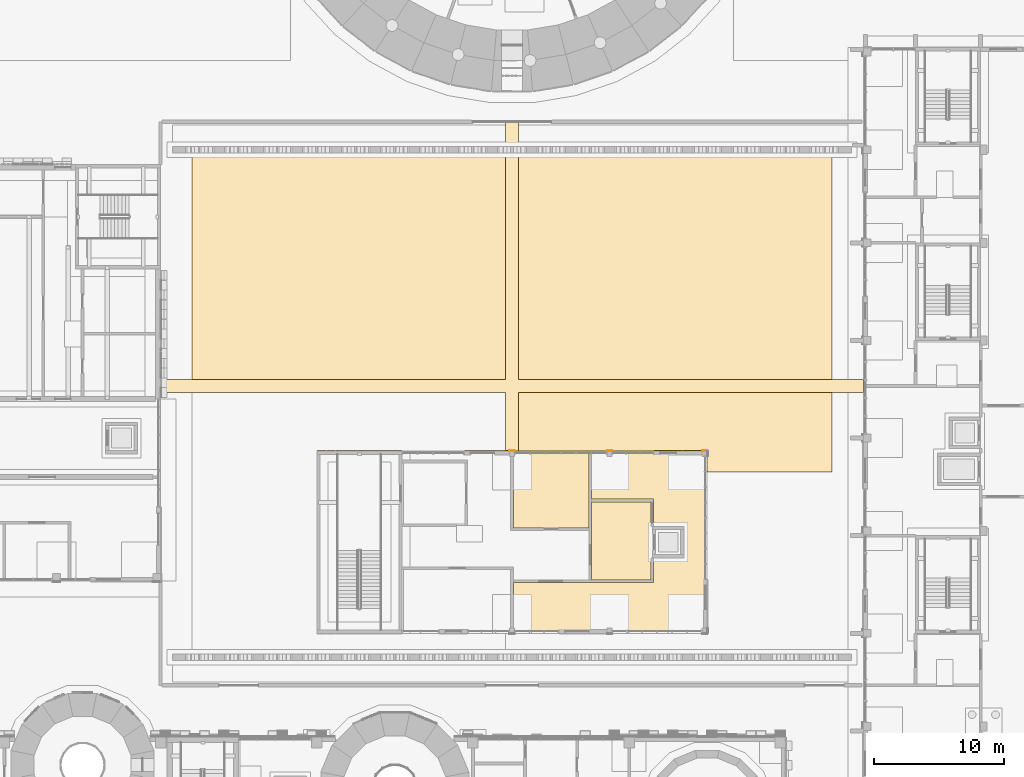
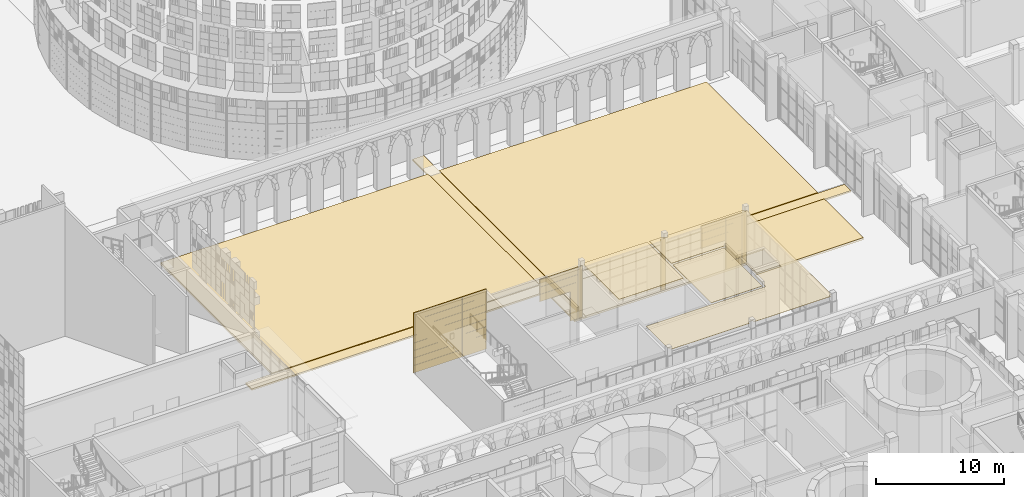
# One storey, part 97 of 125: 9 coverings.
"""IFC4 building model written with IfcOpenShell, lengths in metres."""

from ifc_helpers import new_model, si_unit, direction, frame, origin, origin_2d, place, context, subcontext, project, spatial, polyline, rectangle, outline, extrude, material, layer, layer_set, type_object, element, save


model = new_model("IFC4")

# Units and contexts
model_context = context("Model", 3, precision=1e-05, world=origin(), true_north=direction((0.0, 1.0)))
body_context = subcontext(model_context, "Body", "Model", "MODEL_VIEW")
ifc_project = project(units=[si_unit("LENGTHUNIT", "METRE"), si_unit("AREAUNIT", "SQUARE_METRE"), si_unit("VOLUMEUNIT", "CUBIC_METRE"), si_unit("PLANEANGLEUNIT", "RADIAN"), si_unit("MASSUNIT", "GRAM", prefix="KILO")], contexts=[model_context])

# Site, building, storey
site_placement = place(None, origin())
site = spatial("IfcSite", under=ifc_project, at=site_placement, CompositionType="ELEMENT")
building_placement = place(site_placement, origin())
building = spatial("IfcBuilding", under=site, at=building_placement, Name="Sun Court Science Centre", CompositionType="ELEMENT")
storey_placement = place(building_placement, origin())
storey = spatial("IfcBuildingStorey", under=building, at=storey_placement, Name="L00", CompositionType="ELEMENT", Elevation=0.0)

# Coverings
ifc_material_1 = material(Name="Gypsum board")
ifc_layer_1 = layer(ifc_material_1, 0.030029296875)
ifc_layer_set_1 = layer_set([ifc_layer_1], Name="Gypsum board")
covering_type_1 = type_object("IfcCoveringType", Name="Ceiling suspended 600 module", PredefinedType="CEILING", material=ifc_layer_set_1)
covering_1_placement = place(storey_placement, frame((0.0, 0.0, 5.27001953125)))
element("IfcCovering", 1, at=covering_1_placement, inside=storey, type_object=covering_type_1, Name="L00-096 ceiling", PredefinedType="CEILING", context=body_context, shape_type="SweptSolid", body=[
    extrude(outline(polyline([(56.89990234375, 49.800048828125), (56.89990234375, 44.10009765625), (51.10009765625, 44.10009765625), (51.10009765625, 49.60009765625), (51.199951171875, 49.60009765625), (51.199951171875, 49.800048828125), (56.89990234375, 49.800048828125)])), origin(), (0.0, 0.0, 1.0), 0.030029296875),
])
covering_2_placement = place(storey_placement, frame((0.0, 0.0, 5.27001953125)))
element("IfcCovering", 2, at=covering_2_placement, inside=storey, type_object=covering_type_1, Name="L00-097 ceiling", PredefinedType="CEILING", context=body_context, shape_type="SweptSolid", body=[
    extrude(outline(polyline([(57.10009765625, 40.10009765625), (57.10009765625, 46.10009765625), (61.68994140625, 46.10009765625), (61.68994140625, 44.3125), (61.6875, 44.3125), (61.6875, 41.6875), (61.68994140625, 41.6875), (61.68994140625, 40.10009765625), (57.10009765625, 40.10009765625)])), origin(), (0.0, 0.0, 1.0), 0.030029296875),
])
covering_3_placement = place(storey_placement, frame((0.0, 0.0, 5.27001953125)))
element("IfcCovering", 3, at=covering_3_placement, inside=storey, type_object=covering_type_1, Name="L00-098 ceiling", PredefinedType="CEILING", context=body_context, shape_type="SweptSolid", body=[
    extrude(outline(polyline([(51.10009765625, 36.39990234375), (51.10009765625, 39.89990234375), (61.889892578125, 39.89990234375), (61.889892578125, 41.6875), (64.3125, 41.6875), (64.3125, 44.3125), (61.889892578125, 44.3125), (61.889892578125, 46.300048828125), (57.10009765625, 46.300048828125), (57.10009765625, 49.800048828125), (58.300048828125, 49.800048828125), (58.300048828125, 49.60009765625), (58.699951171875, 49.60009765625), (58.699951171875, 49.800048828125), (65.60009765625, 49.800048828125), (65.60009765625, 49.60009765625), (65.800048828125, 49.60009765625), (65.800048828125, 36.39990234375), (65.60009765625, 36.39990234375), (65.60009765625, 36.199951171875), (58.699951171875, 36.199951171875), (58.699951171875, 36.39990234375), (58.300048828125, 36.39990234375), (58.300048828125, 36.199951171875), (51.199951171875, 36.199951171875), (51.199951171875, 36.39990234375), (51.10009765625, 36.39990234375)])), origin(), (0.0, 0.0, 1.0), 0.030029296875),
])
ifc_material_2 = material(Name="Planting soil and lawn")
ifc_layer_2 = layer(ifc_material_2, 0.199951171875)
ifc_layer_set_2 = layer_set([ifc_layer_2], Name="Planting soil and lawn")
covering_type_2 = type_object("IfcCoveringType", Name="Planting bed 200", PredefinedType="FLOORING", material=ifc_layer_set_2)
covering_4_placement = place(storey_placement, frame((0.0, 0.0, -0.199951171875)))
element("IfcCovering", 4, at=covering_4_placement, inside=storey, type_object=covering_type_2, Name="Planting beds", PredefinedType="FLOORING", context=body_context, shape_type="SweptSolid", body=[
    extrude(outline(polyline([(66.0, 50.0), (51.5, 50.0), (51.5, 54.5), (75.60009765625, 54.5), (75.60009765625, 48.39990234375), (66.0, 48.39990234375), (66.0, 50.0)])), origin(), (0.0, 0.0, 1.0), 0.199951171875),
])
covering_5_placement = place(storey_placement, frame((0.0, 0.0, -0.199951171875)))
element("IfcCovering", 5, at=covering_5_placement, inside=storey, type_object=covering_type_2, Name="Planting beds", PredefinedType="FLOORING", context=body_context, shape_type="SweptSolid", body=[
    extrude(outline(polyline([(26.39990234375, 55.5), (26.39990234375, 72.89990234375), (50.5, 72.89990234375), (50.5, 55.5), (26.39990234375, 55.5)])), origin(), (0.0, 0.0, 1.0), 0.199951171875),
])
covering_6_placement = place(storey_placement, frame((0.0, 0.0, -0.199951171875)))
element("IfcCovering", 6, at=covering_6_placement, inside=storey, type_object=covering_type_2, Name="Planting beds", PredefinedType="FLOORING", context=body_context, shape_type="SweptSolid", body=[
    extrude(outline(polyline([(75.60009765625, 55.5), (51.5, 55.5), (51.5, 72.89990234375), (75.60009765625, 72.89990234375), (75.60009765625, 55.5)])), origin(), (0.0, 0.0, 1.0), 0.199951171875),
])
ifc_material_3 = material(Name="Red sandstone", Category="masonry")
ifc_layer_3 = layer(ifc_material_3, 0.080078125)
ifc_layer_set_3 = layer_set([ifc_layer_3], Name="Red sandstone")
covering_type_3 = type_object("IfcCoveringType", Name="Red sandstone pier cladding", PredefinedType="CLADDING", material=ifc_layer_set_3)
covering_7_placement = place(storey_placement, origin())
element("IfcCovering", 7, at=covering_7_placement, inside=storey, type_object=covering_type_3, Name="Red sandstone pier cladding north face L00", PredefinedType="CLADDING", context=body_context, shape_type="SweptSolid", body=[
    extrude(rectangle(XDim=0.39990234375, YDim=0.080078125, at=origin_2d()), frame((51.0, 50.0400390625, 0.0), z_axis=(0.0, 0.0, 1.0), x_axis=(1.0, 0.0, 0.0)), (0.0, 0.0, 1.0), 4.89990234375),
    extrude(rectangle(XDim=0.39990234375, YDim=0.080078125, at=origin_2d()), frame((58.5, 50.0400390625, 0.0), z_axis=(0.0, 0.0, 1.0), x_axis=(1.0, 0.0, 0.0)), (0.0, 0.0, 1.0), 4.89990234375),
    extrude(rectangle(XDim=0.39990234375, YDim=0.080078125, at=origin_2d()), frame((65.800048828125, 50.0400390625, 0.0), z_axis=(0.0, 0.0, 1.0), x_axis=(1.0, 0.0, 0.0)), (0.0, 0.0, 1.0), 4.89990234375),
])
ifc_material_4 = material(Name="Red sandstone", Category="masonry")
ifc_layer_4 = layer(ifc_material_4, 0.06005859375)
ifc_layer_set_4 = layer_set([ifc_layer_4], Name="Red sandstone")
covering_type_4 = type_object("IfcCoveringType", Name="Red sandstone wall cladding 750", PredefinedType="CLADDING", material=ifc_layer_set_4)
covering_8_placement = place(storey_placement, origin())
element("IfcCovering", 8, at=covering_8_placement, inside=storey, type_object=covering_type_4, Name="Red sandstone wall cladding north face L00", PredefinedType="CLADDING", context=body_context, shape_type="SweptSolid", body=[
    extrude(rectangle(XDim=0.679931640625, YDim=0.06005859375, at=origin_2d()), frame((50.455078125, 50.030029296875, 0.005126953125), z_axis=(0.0, 0.0, 1.0), x_axis=(1.0, 0.0, 0.0)), (0.0, 0.0, 1.0), 0.68994140625),
    extrude(rectangle(XDim=0.679931640625, YDim=0.06005859375, at=origin_2d()), frame((50.455078125, 50.030029296875, 0.705078125), z_axis=(0.0, 0.0, 1.0), x_axis=(1.0, 0.0, 0.0)), (0.0, 0.0, 1.0), 0.68994140625),
    extrude(rectangle(XDim=0.679931640625, YDim=0.06005859375, at=origin_2d()), frame((50.455078125, 50.030029296875, 1.405029296875), z_axis=(0.0, 0.0, 1.0), x_axis=(1.0, 0.0, 0.0)), (0.0, 0.0, 1.0), 0.68994140625),
    extrude(rectangle(XDim=0.679931640625, YDim=0.06005859375, at=origin_2d()), frame((50.455078125, 50.030029296875, 2.10498046875), z_axis=(0.0, 0.0, 1.0), x_axis=(1.0, 0.0, 0.0)), (0.0, 0.0, 1.0), 0.68994140625),
    extrude(rectangle(XDim=0.679931640625, YDim=0.06005859375, at=origin_2d()), frame((47.695068359375, 50.030029296875, 2.804931640625), z_axis=(0.0, 0.0, 1.0), x_axis=(1.0, 0.0, 0.0)), (0.0, 0.0, 1.0), 0.68994140625),
    extrude(rectangle(XDim=0.679931640625, YDim=0.06005859375, at=origin_2d()), frame((48.385009765625, 50.030029296875, 2.804931640625), z_axis=(0.0, 0.0, 1.0), x_axis=(1.0, 0.0, 0.0)), (0.0, 0.0, 1.0), 0.68994140625),
    extrude(rectangle(XDim=0.679931640625, YDim=0.06005859375, at=origin_2d()), frame((49.074951171875, 50.030029296875, 2.804931640625), z_axis=(0.0, 0.0, 1.0), x_axis=(1.0, 0.0, 0.0)), (0.0, 0.0, 1.0), 0.68994140625),
    extrude(rectangle(XDim=0.679931640625, YDim=0.06005859375, at=origin_2d()), frame((49.764892578125, 50.030029296875, 2.804931640625), z_axis=(0.0, 0.0, 1.0), x_axis=(1.0, 0.0, 0.0)), (0.0, 0.0, 1.0), 0.68994140625),
    extrude(rectangle(XDim=0.679931640625, YDim=0.06005859375, at=origin_2d()), frame((50.455078125, 50.030029296875, 2.804931640625), z_axis=(0.0, 0.0, 1.0), x_axis=(1.0, 0.0, 0.0)), (0.0, 0.0, 1.0), 0.68994140625),
    extrude(rectangle(XDim=0.679931640625, YDim=0.06005859375, at=origin_2d()), frame((47.695068359375, 50.030029296875, 3.505126953125), z_axis=(0.0, 0.0, 1.0), x_axis=(1.0, 0.0, 0.0)), (0.0, 0.0, 1.0), 0.68994140625),
    extrude(rectangle(XDim=0.679931640625, YDim=0.06005859375, at=origin_2d()), frame((48.385009765625, 50.030029296875, 3.505126953125), z_axis=(0.0, 0.0, 1.0), x_axis=(1.0, 0.0, 0.0)), (0.0, 0.0, 1.0), 0.68994140625),
    extrude(rectangle(XDim=0.679931640625, YDim=0.06005859375, at=origin_2d()), frame((49.074951171875, 50.030029296875, 3.505126953125), z_axis=(0.0, 0.0, 1.0), x_axis=(1.0, 0.0, 0.0)), (0.0, 0.0, 1.0), 0.68994140625),
    extrude(rectangle(XDim=0.679931640625, YDim=0.06005859375, at=origin_2d()), frame((49.764892578125, 50.030029296875, 3.505126953125), z_axis=(0.0, 0.0, 1.0), x_axis=(1.0, 0.0, 0.0)), (0.0, 0.0, 1.0), 0.68994140625),
    extrude(rectangle(XDim=0.679931640625, YDim=0.06005859375, at=origin_2d()), frame((50.455078125, 50.030029296875, 3.505126953125), z_axis=(0.0, 0.0, 1.0), x_axis=(1.0, 0.0, 0.0)), (0.0, 0.0, 1.0), 0.68994140625),
    extrude(rectangle(XDim=0.679931640625, YDim=0.06005859375, at=origin_2d()), frame((47.695068359375, 50.030029296875, 4.205078125), z_axis=(0.0, 0.0, 1.0), x_axis=(1.0, 0.0, 0.0)), (0.0, 0.0, 1.0), 0.68994140625),
    extrude(rectangle(XDim=0.679931640625, YDim=0.06005859375, at=origin_2d()), frame((48.385009765625, 50.030029296875, 4.205078125), z_axis=(0.0, 0.0, 1.0), x_axis=(1.0, 0.0, 0.0)), (0.0, 0.0, 1.0), 0.68994140625),
    extrude(rectangle(XDim=0.679931640625, YDim=0.06005859375, at=origin_2d()), frame((49.074951171875, 50.030029296875, 4.205078125), z_axis=(0.0, 0.0, 1.0), x_axis=(1.0, 0.0, 0.0)), (0.0, 0.0, 1.0), 0.68994140625),
    extrude(rectangle(XDim=0.679931640625, YDim=0.06005859375, at=origin_2d()), frame((49.764892578125, 50.030029296875, 4.205078125), z_axis=(0.0, 0.0, 1.0), x_axis=(1.0, 0.0, 0.0)), (0.0, 0.0, 1.0), 0.68994140625),
    extrude(rectangle(XDim=0.679931640625, YDim=0.06005859375, at=origin_2d()), frame((50.455078125, 50.030029296875, 4.205078125), z_axis=(0.0, 0.0, 1.0), x_axis=(1.0, 0.0, 0.0)), (0.0, 0.0, 1.0), 0.68994140625),
    extrude(rectangle(XDim=0.72998046875, YDim=0.06005859375, at=origin_2d()), frame((64.489990234375, 50.030029296875, 0.005126953125), z_axis=(0.0, 0.0, 1.0), x_axis=(1.0, 0.0, 0.0)), (0.0, 0.0, 1.0), 0.68994140625),
    extrude(rectangle(XDim=0.72998046875, YDim=0.06005859375, at=origin_2d()), frame((65.22998046875, 50.030029296875, 0.005126953125), z_axis=(0.0, 0.0, 1.0), x_axis=(1.0, 0.0, 0.0)), (0.0, 0.0, 1.0), 0.68994140625),
    extrude(rectangle(XDim=0.72998046875, YDim=0.06005859375, at=origin_2d()), frame((64.489990234375, 50.030029296875, 0.705078125), z_axis=(0.0, 0.0, 1.0), x_axis=(1.0, 0.0, 0.0)), (0.0, 0.0, 1.0), 0.68994140625),
    extrude(rectangle(XDim=0.72998046875, YDim=0.06005859375, at=origin_2d()), frame((65.22998046875, 50.030029296875, 0.705078125), z_axis=(0.0, 0.0, 1.0), x_axis=(1.0, 0.0, 0.0)), (0.0, 0.0, 1.0), 0.68994140625),
    extrude(rectangle(XDim=0.72998046875, YDim=0.06005859375, at=origin_2d()), frame((64.489990234375, 50.030029296875, 1.405029296875), z_axis=(0.0, 0.0, 1.0), x_axis=(1.0, 0.0, 0.0)), (0.0, 0.0, 1.0), 0.68994140625),
    extrude(rectangle(XDim=0.72998046875, YDim=0.06005859375, at=origin_2d()), frame((65.22998046875, 50.030029296875, 1.405029296875), z_axis=(0.0, 0.0, 1.0), x_axis=(1.0, 0.0, 0.0)), (0.0, 0.0, 1.0), 0.68994140625),
    extrude(rectangle(XDim=0.72998046875, YDim=0.06005859375, at=origin_2d()), frame((64.489990234375, 50.030029296875, 2.10498046875), z_axis=(0.0, 0.0, 1.0), x_axis=(1.0, 0.0, 0.0)), (0.0, 0.0, 1.0), 0.68994140625),
    extrude(rectangle(XDim=0.72998046875, YDim=0.06005859375, at=origin_2d()), frame((65.22998046875, 50.030029296875, 2.10498046875), z_axis=(0.0, 0.0, 1.0), x_axis=(1.0, 0.0, 0.0)), (0.0, 0.0, 1.0), 0.68994140625),
    extrude(rectangle(XDim=0.72998046875, YDim=0.06005859375, at=origin_2d()), frame((62.27001953125, 50.030029296875, 2.804931640625), z_axis=(0.0, 0.0, 1.0), x_axis=(1.0, 0.0, 0.0)), (0.0, 0.0, 1.0), 0.68994140625),
    extrude(rectangle(XDim=0.72998046875, YDim=0.06005859375, at=origin_2d()), frame((63.010009765625, 50.030029296875, 2.804931640625), z_axis=(0.0, 0.0, 1.0), x_axis=(1.0, 0.0, 0.0)), (0.0, 0.0, 1.0), 0.68994140625),
    extrude(rectangle(XDim=0.72998046875, YDim=0.06005859375, at=origin_2d()), frame((63.75, 50.030029296875, 2.804931640625), z_axis=(0.0, 0.0, 1.0), x_axis=(1.0, 0.0, 0.0)), (0.0, 0.0, 1.0), 0.68994140625),
    extrude(rectangle(XDim=0.72998046875, YDim=0.06005859375, at=origin_2d()), frame((64.489990234375, 50.030029296875, 2.804931640625), z_axis=(0.0, 0.0, 1.0), x_axis=(1.0, 0.0, 0.0)), (0.0, 0.0, 1.0), 0.68994140625),
    extrude(rectangle(XDim=0.72998046875, YDim=0.06005859375, at=origin_2d()), frame((65.22998046875, 50.030029296875, 2.804931640625), z_axis=(0.0, 0.0, 1.0), x_axis=(1.0, 0.0, 0.0)), (0.0, 0.0, 1.0), 0.68994140625),
    extrude(rectangle(XDim=0.72998046875, YDim=0.06005859375, at=origin_2d()), frame((62.27001953125, 50.030029296875, 3.505126953125), z_axis=(0.0, 0.0, 1.0), x_axis=(1.0, 0.0, 0.0)), (0.0, 0.0, 1.0), 0.68994140625),
    extrude(rectangle(XDim=0.72998046875, YDim=0.06005859375, at=origin_2d()), frame((63.010009765625, 50.030029296875, 3.505126953125), z_axis=(0.0, 0.0, 1.0), x_axis=(1.0, 0.0, 0.0)), (0.0, 0.0, 1.0), 0.68994140625),
    extrude(rectangle(XDim=0.72998046875, YDim=0.06005859375, at=origin_2d()), frame((63.75, 50.030029296875, 3.505126953125), z_axis=(0.0, 0.0, 1.0), x_axis=(1.0, 0.0, 0.0)), (0.0, 0.0, 1.0), 0.68994140625),
    extrude(rectangle(XDim=0.72998046875, YDim=0.06005859375, at=origin_2d()), frame((64.489990234375, 50.030029296875, 3.505126953125), z_axis=(0.0, 0.0, 1.0), x_axis=(1.0, 0.0, 0.0)), (0.0, 0.0, 1.0), 0.68994140625),
    extrude(rectangle(XDim=0.72998046875, YDim=0.06005859375, at=origin_2d()), frame((65.22998046875, 50.030029296875, 3.505126953125), z_axis=(0.0, 0.0, 1.0), x_axis=(1.0, 0.0, 0.0)), (0.0, 0.0, 1.0), 0.68994140625),
    extrude(rectangle(XDim=0.72998046875, YDim=0.06005859375, at=origin_2d()), frame((62.27001953125, 50.030029296875, 4.205078125), z_axis=(0.0, 0.0, 1.0), x_axis=(1.0, 0.0, 0.0)), (0.0, 0.0, 1.0), 0.68994140625),
    extrude(rectangle(XDim=0.72998046875, YDim=0.06005859375, at=origin_2d()), frame((63.010009765625, 50.030029296875, 4.205078125), z_axis=(0.0, 0.0, 1.0), x_axis=(1.0, 0.0, 0.0)), (0.0, 0.0, 1.0), 0.68994140625),
    extrude(rectangle(XDim=0.72998046875, YDim=0.06005859375, at=origin_2d()), frame((63.75, 50.030029296875, 4.205078125), z_axis=(0.0, 0.0, 1.0), x_axis=(1.0, 0.0, 0.0)), (0.0, 0.0, 1.0), 0.68994140625),
    extrude(rectangle(XDim=0.72998046875, YDim=0.06005859375, at=origin_2d()), frame((64.489990234375, 50.030029296875, 4.205078125), z_axis=(0.0, 0.0, 1.0), x_axis=(1.0, 0.0, 0.0)), (0.0, 0.0, 1.0), 0.68994140625),
    extrude(rectangle(XDim=0.72998046875, YDim=0.06005859375, at=origin_2d()), frame((65.22998046875, 50.030029296875, 4.205078125), z_axis=(0.0, 0.0, 1.0), x_axis=(1.0, 0.0, 0.0)), (0.0, 0.0, 1.0), 0.68994140625),
    extrude(rectangle(XDim=0.7177734375, YDim=0.06005859375, at=origin_2d()), frame((36.36376953125, 50.030029296875, 0.0048828125), z_axis=(0.0, 0.0, 1.0), x_axis=(1.0, 0.0, 0.0)), (0.0, 0.0, 1.0), 0.702392578125),
    extrude(rectangle(XDim=0.7177734375, YDim=0.06005859375, at=origin_2d()), frame((37.091552734375, 50.030029296875, 0.0048828125), z_axis=(0.0, 0.0, 1.0), x_axis=(1.0, 0.0, 0.0)), (0.0, 0.0, 1.0), 0.702392578125),
    extrude(rectangle(XDim=0.7177734375, YDim=0.06005859375, at=origin_2d()), frame((37.8193359375, 50.030029296875, 0.0048828125), z_axis=(0.0, 0.0, 1.0), x_axis=(1.0, 0.0, 0.0)), (0.0, 0.0, 1.0), 0.702392578125),
    extrude(rectangle(XDim=0.7177734375, YDim=0.06005859375, at=origin_2d()), frame((38.547119140625, 50.030029296875, 0.0048828125), z_axis=(0.0, 0.0, 1.0), x_axis=(1.0, 0.0, 0.0)), (0.0, 0.0, 1.0), 0.702392578125),
    extrude(rectangle(XDim=0.7177734375, YDim=0.06005859375, at=origin_2d()), frame((39.27490234375, 50.030029296875, 0.0048828125), z_axis=(0.0, 0.0, 1.0), x_axis=(1.0, 0.0, 0.0)), (0.0, 0.0, 1.0), 0.702392578125),
    extrude(rectangle(XDim=0.7177734375, YDim=0.06005859375, at=origin_2d()), frame((40.002685546875, 50.030029296875, 0.0048828125), z_axis=(0.0, 0.0, 1.0), x_axis=(1.0, 0.0, 0.0)), (0.0, 0.0, 1.0), 0.702392578125),
    extrude(rectangle(XDim=0.7177734375, YDim=0.06005859375, at=origin_2d()), frame((40.73046875, 50.030029296875, 0.0048828125), z_axis=(0.0, 0.0, 1.0), x_axis=(1.0, 0.0, 0.0)), (0.0, 0.0, 1.0), 0.702392578125),
    extrude(rectangle(XDim=0.7177734375, YDim=0.06005859375, at=origin_2d()), frame((41.458251953125, 50.030029296875, 0.0048828125), z_axis=(0.0, 0.0, 1.0), x_axis=(1.0, 0.0, 0.0)), (0.0, 0.0, 1.0), 0.702392578125),
    extrude(rectangle(XDim=0.7177734375, YDim=0.06005859375, at=origin_2d()), frame((42.18603515625, 50.030029296875, 0.0048828125), z_axis=(0.0, 0.0, 1.0), x_axis=(1.0, 0.0, 0.0)), (0.0, 0.0, 1.0), 0.702392578125),
    extrude(rectangle(XDim=0.7177734375, YDim=0.06005859375, at=origin_2d()), frame((36.36376953125, 50.030029296875, 0.7177734375), z_axis=(0.0, 0.0, 1.0), x_axis=(1.0, 0.0, 0.0)), (0.0, 0.0, 1.0), 0.702392578125),
    extrude(rectangle(XDim=0.7177734375, YDim=0.06005859375, at=origin_2d()), frame((37.091552734375, 50.030029296875, 0.7177734375), z_axis=(0.0, 0.0, 1.0), x_axis=(1.0, 0.0, 0.0)), (0.0, 0.0, 1.0), 0.702392578125),
    extrude(rectangle(XDim=0.7177734375, YDim=0.06005859375, at=origin_2d()), frame((37.8193359375, 50.030029296875, 0.7177734375), z_axis=(0.0, 0.0, 1.0), x_axis=(1.0, 0.0, 0.0)), (0.0, 0.0, 1.0), 0.702392578125),
    extrude(rectangle(XDim=0.7177734375, YDim=0.06005859375, at=origin_2d()), frame((38.547119140625, 50.030029296875, 0.7177734375), z_axis=(0.0, 0.0, 1.0), x_axis=(1.0, 0.0, 0.0)), (0.0, 0.0, 1.0), 0.702392578125),
    extrude(rectangle(XDim=0.7177734375, YDim=0.06005859375, at=origin_2d()), frame((39.27490234375, 50.030029296875, 0.7177734375), z_axis=(0.0, 0.0, 1.0), x_axis=(1.0, 0.0, 0.0)), (0.0, 0.0, 1.0), 0.702392578125),
    extrude(rectangle(XDim=0.7177734375, YDim=0.06005859375, at=origin_2d()), frame((40.002685546875, 50.030029296875, 0.7177734375), z_axis=(0.0, 0.0, 1.0), x_axis=(1.0, 0.0, 0.0)), (0.0, 0.0, 1.0), 0.702392578125),
    extrude(rectangle(XDim=0.7177734375, YDim=0.06005859375, at=origin_2d()), frame((40.73046875, 50.030029296875, 0.7177734375), z_axis=(0.0, 0.0, 1.0), x_axis=(1.0, 0.0, 0.0)), (0.0, 0.0, 1.0), 0.702392578125),
    extrude(rectangle(XDim=0.7177734375, YDim=0.06005859375, at=origin_2d()), frame((41.458251953125, 50.030029296875, 0.7177734375), z_axis=(0.0, 0.0, 1.0), x_axis=(1.0, 0.0, 0.0)), (0.0, 0.0, 1.0), 0.702392578125),
    extrude(rectangle(XDim=0.7177734375, YDim=0.06005859375, at=origin_2d()), frame((42.18603515625, 50.030029296875, 0.7177734375), z_axis=(0.0, 0.0, 1.0), x_axis=(1.0, 0.0, 0.0)), (0.0, 0.0, 1.0), 0.702392578125),
    extrude(rectangle(XDim=0.7177734375, YDim=0.06005859375, at=origin_2d()), frame((36.36376953125, 50.030029296875, 1.43017578125), z_axis=(0.0, 0.0, 1.0), x_axis=(1.0, 0.0, 0.0)), (0.0, 0.0, 1.0), 0.702392578125),
    extrude(rectangle(XDim=0.7177734375, YDim=0.06005859375, at=origin_2d()), frame((37.091552734375, 50.030029296875, 1.43017578125), z_axis=(0.0, 0.0, 1.0), x_axis=(1.0, 0.0, 0.0)), (0.0, 0.0, 1.0), 0.702392578125),
    extrude(rectangle(XDim=0.7177734375, YDim=0.06005859375, at=origin_2d()), frame((37.8193359375, 50.030029296875, 1.43017578125), z_axis=(0.0, 0.0, 1.0), x_axis=(1.0, 0.0, 0.0)), (0.0, 0.0, 1.0), 0.702392578125),
    extrude(rectangle(XDim=0.7177734375, YDim=0.06005859375, at=origin_2d()), frame((38.547119140625, 50.030029296875, 1.43017578125), z_axis=(0.0, 0.0, 1.0), x_axis=(1.0, 0.0, 0.0)), (0.0, 0.0, 1.0), 0.702392578125),
    extrude(rectangle(XDim=0.7177734375, YDim=0.06005859375, at=origin_2d()), frame((39.27490234375, 50.030029296875, 1.43017578125), z_axis=(0.0, 0.0, 1.0), x_axis=(1.0, 0.0, 0.0)), (0.0, 0.0, 1.0), 0.702392578125),
    extrude(rectangle(XDim=0.7177734375, YDim=0.06005859375, at=origin_2d()), frame((40.002685546875, 50.030029296875, 1.43017578125), z_axis=(0.0, 0.0, 1.0), x_axis=(1.0, 0.0, 0.0)), (0.0, 0.0, 1.0), 0.702392578125),
    extrude(rectangle(XDim=0.7177734375, YDim=0.06005859375, at=origin_2d()), frame((40.73046875, 50.030029296875, 1.43017578125), z_axis=(0.0, 0.0, 1.0), x_axis=(1.0, 0.0, 0.0)), (0.0, 0.0, 1.0), 0.702392578125),
    extrude(rectangle(XDim=0.7177734375, YDim=0.06005859375, at=origin_2d()), frame((41.458251953125, 50.030029296875, 1.43017578125), z_axis=(0.0, 0.0, 1.0), x_axis=(1.0, 0.0, 0.0)), (0.0, 0.0, 1.0), 0.702392578125),
    extrude(rectangle(XDim=0.7177734375, YDim=0.06005859375, at=origin_2d()), frame((42.18603515625, 50.030029296875, 1.43017578125), z_axis=(0.0, 0.0, 1.0), x_axis=(1.0, 0.0, 0.0)), (0.0, 0.0, 1.0), 0.702392578125),
    extrude(rectangle(XDim=0.7177734375, YDim=0.06005859375, at=origin_2d()), frame((36.36376953125, 50.030029296875, 2.142578125), z_axis=(0.0, 0.0, 1.0), x_axis=(1.0, 0.0, 0.0)), (0.0, 0.0, 1.0), 0.702392578125),
    extrude(rectangle(XDim=0.7177734375, YDim=0.06005859375, at=origin_2d()), frame((37.091552734375, 50.030029296875, 2.142578125), z_axis=(0.0, 0.0, 1.0), x_axis=(1.0, 0.0, 0.0)), (0.0, 0.0, 1.0), 0.702392578125),
    extrude(rectangle(XDim=0.7177734375, YDim=0.06005859375, at=origin_2d()), frame((37.8193359375, 50.030029296875, 2.142578125), z_axis=(0.0, 0.0, 1.0), x_axis=(1.0, 0.0, 0.0)), (0.0, 0.0, 1.0), 0.702392578125),
    extrude(rectangle(XDim=0.7177734375, YDim=0.06005859375, at=origin_2d()), frame((38.547119140625, 50.030029296875, 2.142578125), z_axis=(0.0, 0.0, 1.0), x_axis=(1.0, 0.0, 0.0)), (0.0, 0.0, 1.0), 0.702392578125),
    extrude(rectangle(XDim=0.7177734375, YDim=0.06005859375, at=origin_2d()), frame((39.27490234375, 50.030029296875, 2.142578125), z_axis=(0.0, 0.0, 1.0), x_axis=(1.0, 0.0, 0.0)), (0.0, 0.0, 1.0), 0.702392578125),
    extrude(rectangle(XDim=0.7177734375, YDim=0.06005859375, at=origin_2d()), frame((40.002685546875, 50.030029296875, 2.142578125), z_axis=(0.0, 0.0, 1.0), x_axis=(1.0, 0.0, 0.0)), (0.0, 0.0, 1.0), 0.702392578125),
    extrude(rectangle(XDim=0.7177734375, YDim=0.06005859375, at=origin_2d()), frame((40.73046875, 50.030029296875, 2.142578125), z_axis=(0.0, 0.0, 1.0), x_axis=(1.0, 0.0, 0.0)), (0.0, 0.0, 1.0), 0.702392578125),
    extrude(rectangle(XDim=0.7177734375, YDim=0.06005859375, at=origin_2d()), frame((41.458251953125, 50.030029296875, 2.142578125), z_axis=(0.0, 0.0, 1.0), x_axis=(1.0, 0.0, 0.0)), (0.0, 0.0, 1.0), 0.702392578125),
    extrude(rectangle(XDim=0.7177734375, YDim=0.06005859375, at=origin_2d()), frame((42.18603515625, 50.030029296875, 2.142578125), z_axis=(0.0, 0.0, 1.0), x_axis=(1.0, 0.0, 0.0)), (0.0, 0.0, 1.0), 0.702392578125),
    extrude(rectangle(XDim=0.7177734375, YDim=0.06005859375, at=origin_2d()), frame((36.36376953125, 50.030029296875, 2.85498046875), z_axis=(0.0, 0.0, 1.0), x_axis=(1.0, 0.0, 0.0)), (0.0, 0.0, 1.0), 0.702392578125),
    extrude(rectangle(XDim=0.7177734375, YDim=0.06005859375, at=origin_2d()), frame((37.091552734375, 50.030029296875, 2.85498046875), z_axis=(0.0, 0.0, 1.0), x_axis=(1.0, 0.0, 0.0)), (0.0, 0.0, 1.0), 0.702392578125),
    extrude(rectangle(XDim=0.7177734375, YDim=0.06005859375, at=origin_2d()), frame((37.8193359375, 50.030029296875, 2.85498046875), z_axis=(0.0, 0.0, 1.0), x_axis=(1.0, 0.0, 0.0)), (0.0, 0.0, 1.0), 0.702392578125),
    extrude(rectangle(XDim=0.7177734375, YDim=0.06005859375, at=origin_2d()), frame((38.547119140625, 50.030029296875, 2.85498046875), z_axis=(0.0, 0.0, 1.0), x_axis=(1.0, 0.0, 0.0)), (0.0, 0.0, 1.0), 0.702392578125),
    extrude(rectangle(XDim=0.7177734375, YDim=0.06005859375, at=origin_2d()), frame((39.27490234375, 50.030029296875, 2.85498046875), z_axis=(0.0, 0.0, 1.0), x_axis=(1.0, 0.0, 0.0)), (0.0, 0.0, 1.0), 0.702392578125),
    extrude(rectangle(XDim=0.7177734375, YDim=0.06005859375, at=origin_2d()), frame((40.002685546875, 50.030029296875, 2.85498046875), z_axis=(0.0, 0.0, 1.0), x_axis=(1.0, 0.0, 0.0)), (0.0, 0.0, 1.0), 0.702392578125),
    extrude(rectangle(XDim=0.7177734375, YDim=0.06005859375, at=origin_2d()), frame((40.73046875, 50.030029296875, 2.85498046875), z_axis=(0.0, 0.0, 1.0), x_axis=(1.0, 0.0, 0.0)), (0.0, 0.0, 1.0), 0.702392578125),
    extrude(rectangle(XDim=0.7177734375, YDim=0.06005859375, at=origin_2d()), frame((41.458251953125, 50.030029296875, 2.85498046875), z_axis=(0.0, 0.0, 1.0), x_axis=(1.0, 0.0, 0.0)), (0.0, 0.0, 1.0), 0.702392578125),
    extrude(rectangle(XDim=0.7177734375, YDim=0.06005859375, at=origin_2d()), frame((42.18603515625, 50.030029296875, 2.85498046875), z_axis=(0.0, 0.0, 1.0), x_axis=(1.0, 0.0, 0.0)), (0.0, 0.0, 1.0), 0.702392578125),
    extrude(rectangle(XDim=0.7177734375, YDim=0.06005859375, at=origin_2d()), frame((36.36376953125, 50.030029296875, 3.5673828125), z_axis=(0.0, 0.0, 1.0), x_axis=(1.0, 0.0, 0.0)), (0.0, 0.0, 1.0), 0.702392578125),
    extrude(rectangle(XDim=0.7177734375, YDim=0.06005859375, at=origin_2d()), frame((37.091552734375, 50.030029296875, 3.5673828125), z_axis=(0.0, 0.0, 1.0), x_axis=(1.0, 0.0, 0.0)), (0.0, 0.0, 1.0), 0.702392578125),
    extrude(rectangle(XDim=0.7177734375, YDim=0.06005859375, at=origin_2d()), frame((37.8193359375, 50.030029296875, 3.5673828125), z_axis=(0.0, 0.0, 1.0), x_axis=(1.0, 0.0, 0.0)), (0.0, 0.0, 1.0), 0.702392578125),
    extrude(rectangle(XDim=0.7177734375, YDim=0.06005859375, at=origin_2d()), frame((38.547119140625, 50.030029296875, 3.5673828125), z_axis=(0.0, 0.0, 1.0), x_axis=(1.0, 0.0, 0.0)), (0.0, 0.0, 1.0), 0.702392578125),
    extrude(rectangle(XDim=0.7177734375, YDim=0.06005859375, at=origin_2d()), frame((39.27490234375, 50.030029296875, 3.5673828125), z_axis=(0.0, 0.0, 1.0), x_axis=(1.0, 0.0, 0.0)), (0.0, 0.0, 1.0), 0.702392578125),
    extrude(rectangle(XDim=0.7177734375, YDim=0.06005859375, at=origin_2d()), frame((40.002685546875, 50.030029296875, 3.5673828125), z_axis=(0.0, 0.0, 1.0), x_axis=(1.0, 0.0, 0.0)), (0.0, 0.0, 1.0), 0.702392578125),
    extrude(rectangle(XDim=0.7177734375, YDim=0.06005859375, at=origin_2d()), frame((40.73046875, 50.030029296875, 3.5673828125), z_axis=(0.0, 0.0, 1.0), x_axis=(1.0, 0.0, 0.0)), (0.0, 0.0, 1.0), 0.702392578125),
    extrude(rectangle(XDim=0.7177734375, YDim=0.06005859375, at=origin_2d()), frame((41.458251953125, 50.030029296875, 3.5673828125), z_axis=(0.0, 0.0, 1.0), x_axis=(1.0, 0.0, 0.0)), (0.0, 0.0, 1.0), 0.702392578125),
    extrude(rectangle(XDim=0.7177734375, YDim=0.06005859375, at=origin_2d()), frame((42.18603515625, 50.030029296875, 3.5673828125), z_axis=(0.0, 0.0, 1.0), x_axis=(1.0, 0.0, 0.0)), (0.0, 0.0, 1.0), 0.702392578125),
    extrude(rectangle(XDim=0.7177734375, YDim=0.06005859375, at=origin_2d()), frame((36.36376953125, 50.030029296875, 4.2802734375), z_axis=(0.0, 0.0, 1.0), x_axis=(1.0, 0.0, 0.0)), (0.0, 0.0, 1.0), 0.702392578125),
    extrude(rectangle(XDim=0.7177734375, YDim=0.06005859375, at=origin_2d()), frame((37.091552734375, 50.030029296875, 4.2802734375), z_axis=(0.0, 0.0, 1.0), x_axis=(1.0, 0.0, 0.0)), (0.0, 0.0, 1.0), 0.702392578125),
    extrude(rectangle(XDim=0.7177734375, YDim=0.06005859375, at=origin_2d()), frame((37.8193359375, 50.030029296875, 4.2802734375), z_axis=(0.0, 0.0, 1.0), x_axis=(1.0, 0.0, 0.0)), (0.0, 0.0, 1.0), 0.702392578125),
    extrude(rectangle(XDim=0.7177734375, YDim=0.06005859375, at=origin_2d()), frame((38.547119140625, 50.030029296875, 4.2802734375), z_axis=(0.0, 0.0, 1.0), x_axis=(1.0, 0.0, 0.0)), (0.0, 0.0, 1.0), 0.702392578125),
    extrude(rectangle(XDim=0.7177734375, YDim=0.06005859375, at=origin_2d()), frame((39.27490234375, 50.030029296875, 4.2802734375), z_axis=(0.0, 0.0, 1.0), x_axis=(1.0, 0.0, 0.0)), (0.0, 0.0, 1.0), 0.702392578125),
    extrude(rectangle(XDim=0.7177734375, YDim=0.06005859375, at=origin_2d()), frame((40.002685546875, 50.030029296875, 4.2802734375), z_axis=(0.0, 0.0, 1.0), x_axis=(1.0, 0.0, 0.0)), (0.0, 0.0, 1.0), 0.702392578125),
    extrude(rectangle(XDim=0.7177734375, YDim=0.06005859375, at=origin_2d()), frame((40.73046875, 50.030029296875, 4.2802734375), z_axis=(0.0, 0.0, 1.0), x_axis=(1.0, 0.0, 0.0)), (0.0, 0.0, 1.0), 0.702392578125),
    extrude(rectangle(XDim=0.7177734375, YDim=0.06005859375, at=origin_2d()), frame((41.458251953125, 50.030029296875, 4.2802734375), z_axis=(0.0, 0.0, 1.0), x_axis=(1.0, 0.0, 0.0)), (0.0, 0.0, 1.0), 0.702392578125),
    extrude(rectangle(XDim=0.7177734375, YDim=0.06005859375, at=origin_2d()), frame((42.18603515625, 50.030029296875, 4.2802734375), z_axis=(0.0, 0.0, 1.0), x_axis=(1.0, 0.0, 0.0)), (0.0, 0.0, 1.0), 0.702392578125),
    extrude(rectangle(XDim=0.7177734375, YDim=0.06005859375, at=origin_2d()), frame((36.36376953125, 50.030029296875, 4.99267578125), z_axis=(0.0, 0.0, 1.0), x_axis=(1.0, 0.0, 0.0)), (0.0, 0.0, 1.0), 0.702392578125),
    extrude(rectangle(XDim=0.7177734375, YDim=0.06005859375, at=origin_2d()), frame((37.091552734375, 50.030029296875, 4.99267578125), z_axis=(0.0, 0.0, 1.0), x_axis=(1.0, 0.0, 0.0)), (0.0, 0.0, 1.0), 0.702392578125),
    extrude(rectangle(XDim=0.7177734375, YDim=0.06005859375, at=origin_2d()), frame((37.8193359375, 50.030029296875, 4.99267578125), z_axis=(0.0, 0.0, 1.0), x_axis=(1.0, 0.0, 0.0)), (0.0, 0.0, 1.0), 0.702392578125),
    extrude(rectangle(XDim=0.7177734375, YDim=0.06005859375, at=origin_2d()), frame((38.547119140625, 50.030029296875, 4.99267578125), z_axis=(0.0, 0.0, 1.0), x_axis=(1.0, 0.0, 0.0)), (0.0, 0.0, 1.0), 0.702392578125),
    extrude(rectangle(XDim=0.7177734375, YDim=0.06005859375, at=origin_2d()), frame((39.27490234375, 50.030029296875, 4.99267578125), z_axis=(0.0, 0.0, 1.0), x_axis=(1.0, 0.0, 0.0)), (0.0, 0.0, 1.0), 0.702392578125),
    extrude(rectangle(XDim=0.7177734375, YDim=0.06005859375, at=origin_2d()), frame((40.002685546875, 50.030029296875, 4.99267578125), z_axis=(0.0, 0.0, 1.0), x_axis=(1.0, 0.0, 0.0)), (0.0, 0.0, 1.0), 0.702392578125),
    extrude(rectangle(XDim=0.7177734375, YDim=0.06005859375, at=origin_2d()), frame((40.73046875, 50.030029296875, 4.99267578125), z_axis=(0.0, 0.0, 1.0), x_axis=(1.0, 0.0, 0.0)), (0.0, 0.0, 1.0), 0.702392578125),
    extrude(rectangle(XDim=0.7177734375, YDim=0.06005859375, at=origin_2d()), frame((41.458251953125, 50.030029296875, 4.99267578125), z_axis=(0.0, 0.0, 1.0), x_axis=(1.0, 0.0, 0.0)), (0.0, 0.0, 1.0), 0.702392578125),
    extrude(rectangle(XDim=0.7177734375, YDim=0.06005859375, at=origin_2d()), frame((42.18603515625, 50.030029296875, 4.99267578125), z_axis=(0.0, 0.0, 1.0), x_axis=(1.0, 0.0, 0.0)), (0.0, 0.0, 1.0), 0.702392578125),
])
ifc_material_5 = material(Name="Water")
ifc_layer_5 = layer(ifc_material_5, 0.14990234375)
ifc_layer_set_5 = layer_set([ifc_layer_5], Name="Water")
covering_type_5 = type_object("IfcCoveringType", Name="Water channel surface 150", PredefinedType="FLOORING", material=ifc_layer_set_5)
covering_9_placement = place(storey_placement, frame((0.0, 0.0, -0.199951171875)))
element("IfcCovering", 9, at=covering_9_placement, inside=storey, type_object=covering_type_5, Name="Water channels of the sun court", PredefinedType="FLOORING", context=body_context, shape_type="SweptSolid", body=[
    extrude(outline(polyline([(78.0, 54.5), (51.5, 54.5), (51.5, 50.0), (50.5, 50.0), (50.5, 54.5), (24.0, 54.5), (24.0, 55.5), (50.5, 55.5), (50.5, 75.300048828125), (51.5, 75.300048828125), (51.5, 55.5), (78.0, 55.5), (78.0, 54.5)])), origin(), (0.0, 0.0, 1.0), 0.14990234375),
])

save(model, "model.ifc")
